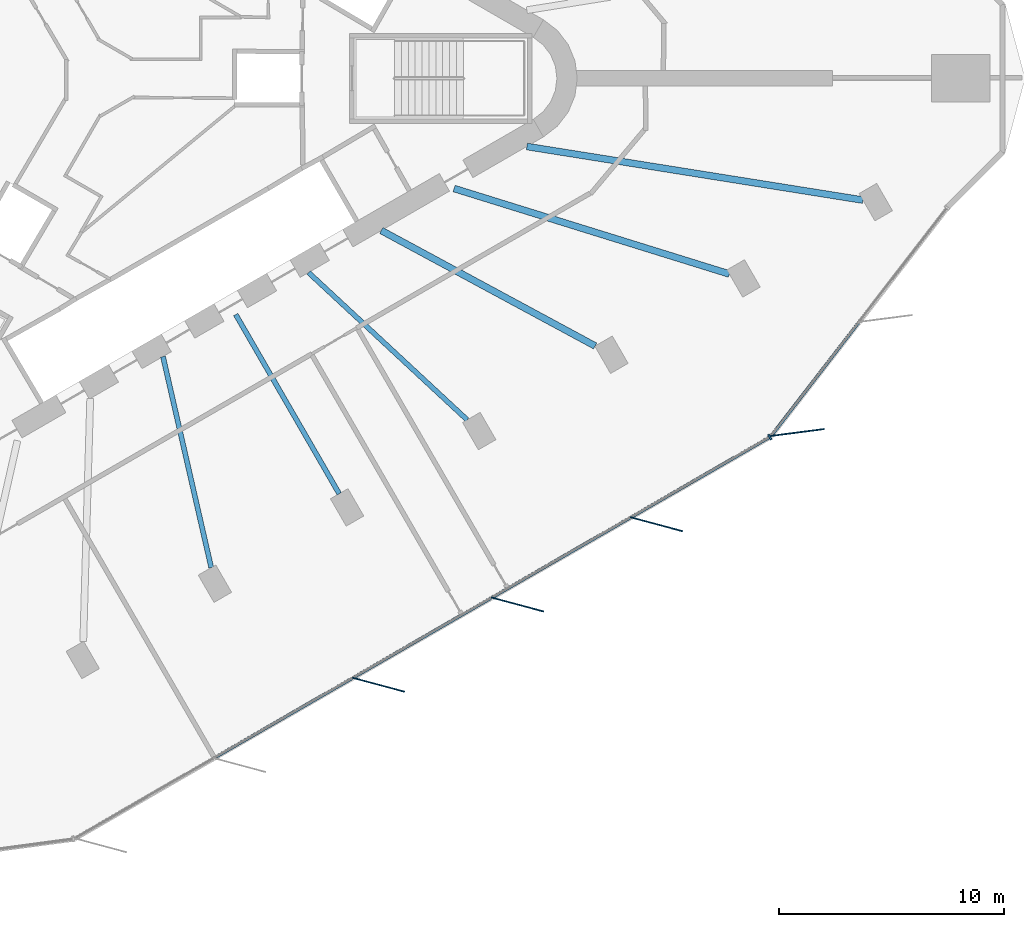
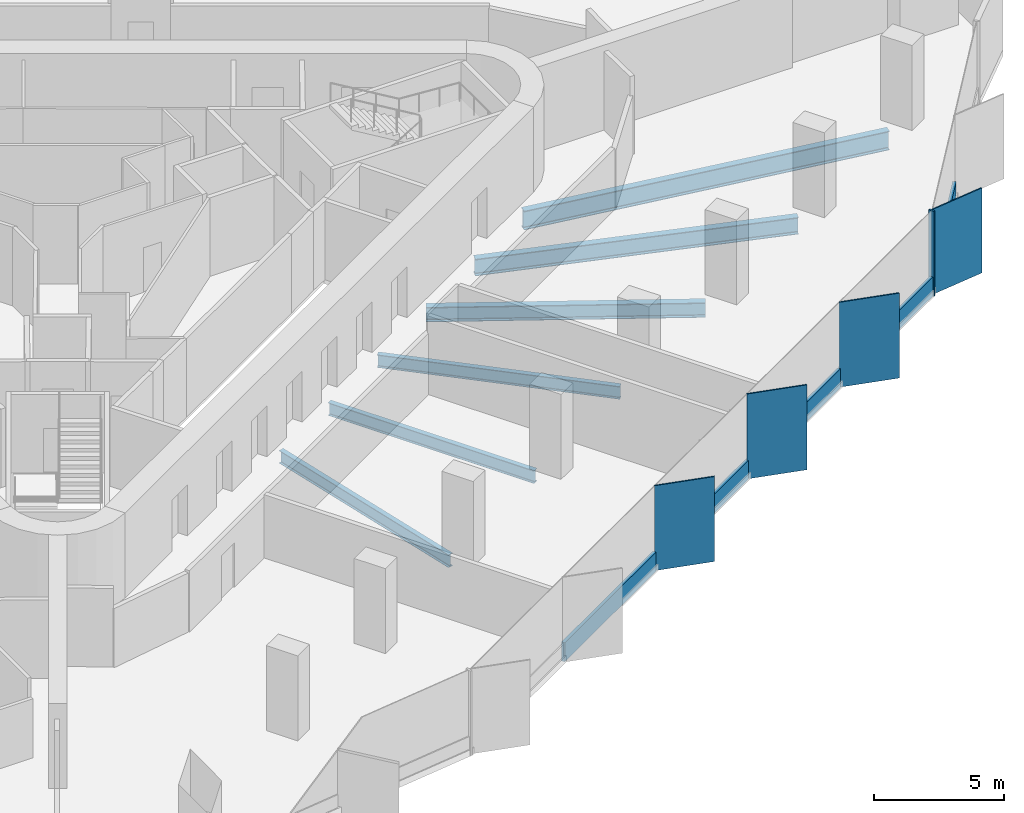
# One storey, part 3 of 14: 10 members, 6 beams, 2 elements without a shape of their own.
"""IFC4 building model written with IfcOpenShell, lengths in metres."""

from ifc_helpers import new_model, si_unit, direction, frame, origin, origin_2d, place, context, subcontext, project, spatial, rectangle, i_section, extrude, material, material_profile, profile_set, type_object, element, aggregate, save


model = new_model("IFC4")

# Units and contexts
model_context = context("Model", 3, precision=1e-05, world=origin(), true_north=direction((0.0, 1.0)))
body_context = subcontext(model_context, "Body", "Model", "MODEL_VIEW")
ifc_project = project(units=[si_unit("LENGTHUNIT", "METRE"), si_unit("AREAUNIT", "SQUARE_METRE"), si_unit("VOLUMEUNIT", "CUBIC_METRE"), si_unit("PLANEANGLEUNIT", "RADIAN"), si_unit("MASSUNIT", "GRAM", prefix="KILO")], contexts=[model_context])

# Site, building, storey
site_placement = place(None, origin())
site = spatial("IfcSite", under=ifc_project, at=site_placement, CompositionType="ELEMENT")
building_placement = place(site_placement, origin())
building = spatial("IfcBuilding", under=site, at=building_placement, Name="Tanit Gate Tower", CompositionType="ELEMENT")
storey_placement = place(building_placement, frame((0.0, 0.0, 237.199951171875)))
storey = spatial("IfcBuildingStorey", under=building, at=storey_placement, Name="L53", CompositionType="ELEMENT", Elevation=237.199951171875)

# Curtain wall, members
ifc_material_1 = material(Name="Aluminium bronze anodised and glass", Category="aluminium")
curtain_wall_type = type_object("IfcCurtainWallType", Name="Curtain wall typical mid", PredefinedType="NOTDEFINED", material=ifc_material_1)
curtain_wall_1_placement = place(storey_placement, origin())
curtain_wall_1 = element("IfcCurtainWall", 1, at=curtain_wall_1_placement, inside=storey, type_object=curtain_wall_type, Name="Curtain wall L53 SE2", PredefinedType="NOTDEFINED")
ifc_material_2 = material(Name="Aluminium bronze anodised", Category="aluminium")
ifc_material_profile_1 = material_profile(ifc_material_2, rectangle(XDim=2.39990234375, YDim=0.055908203125, at=origin_2d()), Name="56x2400 bronze fin mullion")
ifc_profile_set_1 = profile_set([ifc_material_profile_1], Name="Aluminium bronze anodised")
member_type_1 = type_object("IfcMemberType", Name="FIN MULLION 56x2400 bronze", PredefinedType="MULLION", material=ifc_profile_set_1)
member_1_placement = place(storey_placement, frame((12.383056640625, -26.9013671875, -0.300048828125), z_axis=(0.0, 0.0, 1.0), x_axis=(-0.965943770162, 0.25875206837, 0.0)))
member_1 = element("IfcMember", 2, at=member_1_placement, type_object=member_type_1, Name="Fin mullion L53 SE2.3", PredefinedType="MULLION", context=body_context, shape_type="SweptSolid", body=[
    extrude(rectangle(XDim=2.39990234375, YDim=0.055908203125, at=origin_2d()), origin(), (0.0, 0.0, 1.0), 4.0),
])
member_2_placement = place(storey_placement, frame((18.54931640625, -23.3408203125, -0.300048828125), z_axis=(0.0, 0.0, 1.0), x_axis=(-0.965943770162, 0.25875206837, 0.0)))
member_2 = element("IfcMember", 3, at=member_2_placement, type_object=member_type_1, Name="Fin mullion L53 SE2.4", PredefinedType="MULLION", context=body_context, shape_type="SweptSolid", body=[
    extrude(rectangle(XDim=2.39990234375, YDim=0.055908203125, at=origin_2d()), origin(), (0.0, 0.0, 1.0), 4.0),
])
member_3_placement = place(storey_placement, frame((24.715576171875, -19.780029296875, -0.300048828125), z_axis=(0.0, 0.0, 1.0), x_axis=(-0.965943770162, 0.25875206837, 0.0)))
member_3 = element("IfcMember", 4, at=member_3_placement, type_object=member_type_1, Name="Fin mullion L53 SE2.5", PredefinedType="MULLION", context=body_context, shape_type="SweptSolid", body=[
    extrude(rectangle(XDim=2.39990234375, YDim=0.055908203125, at=origin_2d()), origin(), (0.0, 0.0, 1.0), 4.0),
])

# Curtain wall, member
curtain_wall_2_placement = place(storey_placement, origin())
curtain_wall_2 = element("IfcCurtainWall", 5, at=curtain_wall_2_placement, inside=storey, type_object=curtain_wall_type, Name="Curtain wall L53 SE3", PredefinedType="NOTDEFINED")
member_4_placement = place(storey_placement, frame((30.971435546875, -15.712158203125, -0.300048828125), z_axis=(0.0, 0.0, 1.0), x_axis=(-0.991802209768, -0.127782536751, 0.0)))
member_4 = element("IfcMember", 6, at=member_4_placement, type_object=member_type_1, Name="Fin mullion L53 SE3.1", PredefinedType="MULLION", context=body_context, shape_type="SweptSolid", body=[
    extrude(rectangle(XDim=2.39990234375, YDim=0.055908203125, at=origin_2d()), origin(), (0.0, 0.0, 1.0), 4.0),
])

# Member
ifc_material_3 = material(Name="Aluminium bronze anodised", Category="aluminium")
ifc_material_profile_2 = material_profile(ifc_material_3, rectangle(XDim=0.260009765625, YDim=0.080078125, at=origin_2d()), Name="80x260 bronze mullion")
ifc_profile_set_2 = profile_set([ifc_material_profile_2], Name="Aluminium bronze anodised")
member_type_2 = type_object("IfcMemberType", Name="Mullion 80x260 typical mid", PredefinedType="MULLION", material=ifc_profile_set_2)
member_5_placement = place(storey_placement, frame((29.7431640625, -15.91455078125, -0.300048828125), z_axis=(0.0, 0.0, 1.0), x_axis=(-0.500060047936, 0.865990732317, 0.0)))
member_5 = element("IfcMember", 7, at=member_5_placement, type_object=member_type_2, Name="Mullion L53 SE2.6", PredefinedType="MULLION", context=body_context, shape_type="SweptSolid", body=[
    extrude(rectangle(XDim=0.260009765625, YDim=0.080078125, at=origin_2d()), origin(), (0.0, 0.0, 1.0), 4.0),
])

# Beams
ifc_material_4 = material(Name="Steel S355", Category="steel")
ifc_material_profile_3 = material_profile(ifc_material_4, i_section(OverallWidth=0.300048828125, OverallDepth=0.68994140625, WebThickness=0.014404296875, FlangeThickness=0.027099609375, FilletRadius=0.027099609375, at=origin_2d()), Name="HEA 700")
ifc_profile_set_3 = profile_set([ifc_material_profile_3], Name="Steel S355")
beam_type_1 = type_object("IfcBeamType", Name="RADIAL GIRDER HEA 700 S355", PredefinedType="BEAM", material=ifc_profile_set_3)
beam_1_placement = place(storey_placement, frame((21.993896484375, -11.873046875, -0.64501953125), z_axis=(-0.879968075352, 0.475032826614, 0.0), x_axis=(-0.475032826614, -0.879968075352, 0.0)))
element("IfcBeam", 8, at=beam_1_placement, inside=storey, type_object=beam_type_1, Name="RADIAL GIRDER", PredefinedType="BEAM", context=body_context, shape_type="SweptSolid", body=[
    extrude(i_section(OverallWidth=0.300048828125, OverallDepth=0.68994140625, WebThickness=0.014404296875, FlangeThickness=0.027099609375, FilletRadius=0.027099609375, at=origin_2d()), origin(), (0.0, 0.0, 1.0), 10.779541015625),
])
ifc_material_5 = material(Name="Steel S355", Category="steel")
ifc_material_profile_4 = material_profile(ifc_material_5, i_section(OverallWidth=0.300048828125, OverallDepth=0.7900390625, WebThickness=0.014892578125, FlangeThickness=0.028076171875, FilletRadius=0.030029296875, at=origin_2d()), Name="HEA 800")
ifc_profile_set_4 = profile_set([ifc_material_profile_4], Name="Steel S355")
beam_type_2 = type_object("IfcBeamType", Name="RADIAL GIRDER HEA 800 S355", PredefinedType="BEAM", material=ifc_profile_set_4)
beam_2_placement = place(storey_placement, frame((27.947998046875, -8.681396484375, -0.695068359375), z_axis=(-0.954989554266, 0.296639429684, 0.0), x_axis=(-0.296639429684, -0.954989554266, 0.0)))
element("IfcBeam", 9, at=beam_2_placement, inside=storey, type_object=beam_type_2, Name="RADIAL GIRDER", PredefinedType="BEAM", context=body_context, shape_type="SweptSolid", body=[
    extrude(i_section(OverallWidth=0.300048828125, OverallDepth=0.7900390625, WebThickness=0.014892578125, FlangeThickness=0.028076171875, FilletRadius=0.030029296875, at=origin_2d()), origin(), (0.0, 0.0, 1.0), 12.786376953125),
])
ifc_material_6 = material(Name="Steel S355", Category="steel")
ifc_material_profile_5 = material_profile(ifc_material_6, i_section(OverallWidth=0.300048828125, OverallDepth=0.889892578125, WebThickness=0.01611328125, FlangeThickness=0.030029296875, FilletRadius=0.030029296875, at=origin_2d()), Name="HEA 900")
ifc_profile_set_5 = profile_set([ifc_material_profile_5], Name="Steel S355")
beam_type_3 = type_object("IfcBeamType", Name="RADIAL GIRDER HEA 900 S355", PredefinedType="BEAM", material=ifc_profile_set_5)
beam_3_placement = place(storey_placement, frame((33.872802734375, -5.4013671875, -0.744873046875), z_axis=(-0.987524864709, 0.157463143563, 0.0), x_axis=(-0.157463143563, -0.987524864709, 0.0)))
element("IfcBeam", 10, at=beam_3_placement, inside=storey, type_object=beam_type_3, Name="RADIAL GIRDER", PredefinedType="BEAM", context=body_context, shape_type="SweptSolid", body=[
    extrude(i_section(OverallWidth=0.300048828125, OverallDepth=0.889892578125, WebThickness=0.01611328125, FlangeThickness=0.030029296875, FilletRadius=0.030029296875, at=origin_2d()), origin(), (0.0, 0.0, 1.0), 15.09521484375),
])
ifc_material_7 = material(Name="Steel S355", Category="steel")
ifc_material_profile_6 = material_profile(ifc_material_7, i_section(OverallWidth=0.219970703125, OverallDepth=0.60009765625, WebThickness=0.011962890625, FlangeThickness=0.01904296875, FilletRadius=0.02392578125, at=origin_2d()), Name="IPE 600")
ifc_profile_set_6 = profile_set([ifc_material_profile_6], Name="Steel S355")
beam_type_4 = type_object("IfcBeamType", Name="RADIAL GIRDER IPE 600 S355", PredefinedType="BEAM", material=ifc_profile_set_6)
beam_4_placement = place(storey_placement, frame((4.962646484375, -21.7060546875, -0.599853515625), z_axis=(-0.222889001119, 0.974843830149, 0.0), x_axis=(-0.974843830149, -0.222889001119, 0.0)))
element("IfcBeam", 11, at=beam_4_placement, inside=storey, type_object=beam_type_4, Name="RADIAL GIRDER", PredefinedType="BEAM", context=body_context, shape_type="SweptSolid", body=[
    extrude(i_section(OverallWidth=0.219970703125, OverallDepth=0.60009765625, WebThickness=0.011962890625, FlangeThickness=0.01904296875, FilletRadius=0.02392578125, at=origin_2d()), origin(), (0.0, 0.0, 1.0), 9.602783203125),
])
beam_5_placement = place(storey_placement, frame((10.6396484375, -18.428466796875, -0.599853515625), z_axis=(-0.499998789643, 0.866026102583, 0.0), x_axis=(-0.866026102583, -0.499998789643, 0.0)))
element("IfcBeam", 12, at=beam_5_placement, inside=storey, type_object=beam_type_4, Name="RADIAL GIRDER", PredefinedType="BEAM", context=body_context, shape_type="SweptSolid", body=[
    extrude(i_section(OverallWidth=0.219970703125, OverallDepth=0.60009765625, WebThickness=0.011962890625, FlangeThickness=0.01904296875, FilletRadius=0.02392578125, at=origin_2d()), origin(), (0.0, 0.0, 1.0), 9.17724609375),
])
beam_6_placement = place(storey_placement, frame((16.316650390625, -15.150634765625, -0.599853515625), z_axis=(-0.73280888542, 0.680434521059, 0.0), x_axis=(-0.680434521059, -0.73280888542, 0.0)))
element("IfcBeam", 13, at=beam_6_placement, inside=storey, type_object=beam_type_4, Name="RADIAL GIRDER", PredefinedType="BEAM", context=body_context, shape_type="SweptSolid", body=[
    extrude(i_section(OverallWidth=0.219970703125, OverallDepth=0.60009765625, WebThickness=0.011962890625, FlangeThickness=0.01904296875, FilletRadius=0.02392578125, at=origin_2d()), origin(), (0.0, 0.0, 1.0), 9.6025390625),
])

# Member
ifc_material_8 = material(Name="Aluminium bronze anodised", Category="aluminium")
ifc_material_profile_7 = material_profile(ifc_material_8, rectangle(XDim=0.139892578125, YDim=0.89990234375, at=origin_2d()), Name="140x900 bronze transom")
ifc_profile_set_7 = profile_set([ifc_material_profile_7], Name="Aluminium bronze anodised")
member_type_3 = type_object("IfcMemberType", Name="Transom 140x900 typical mid", PredefinedType="USERDEFINED", material=ifc_profile_set_7)
member_6_placement = place(storey_placement, frame((5.11279296875, -30.136962890625, 0.150146484375), z_axis=(0.865997897729, 0.50004763886, 0.0), x_axis=(-0.50004763886, 0.865997897729, 0.0)))
member_6 = element("IfcMember", 14, at=member_6_placement, type_object=member_type_3, Name="Transom L53 SE2.2", ObjectType="TRANSOM", PredefinedType="USERDEFINED", context=body_context, shape_type="SweptSolid", body=[
    extrude(rectangle(XDim=0.139892578125, YDim=0.89990234375, at=origin_2d()), origin(), (0.0, 0.0, 1.0), 7.040283203125),
])

member_7_placement = place(storey_placement, frame((11.279052734375, -26.576416015625, 0.150146484375), z_axis=(0.865982880904, 0.500073644557, 0.0), x_axis=(-0.500073644557, 0.865982880904, 0.0)))
member_7 = element("IfcMember", 15, at=member_7_placement, type_object=member_type_3, Name="Transom L53 SE2.3", ObjectType="TRANSOM", PredefinedType="USERDEFINED", context=body_context, shape_type="SweptSolid", body=[
    extrude(rectangle(XDim=0.139892578125, YDim=0.89990234375, at=origin_2d()), origin(), (0.0, 0.0, 1.0), 7.04052734375),
])

member_8_placement = place(storey_placement, frame((17.4453125, -23.015625, 0.150146484375), z_axis=(0.865997897729, 0.50004763886, 0.0), x_axis=(-0.50004763886, 0.865997897729, 0.0)))
member_8 = element("IfcMember", 16, at=member_8_placement, type_object=member_type_3, Name="Transom L53 SE2.4", ObjectType="TRANSOM", PredefinedType="USERDEFINED", context=body_context, shape_type="SweptSolid", body=[
    extrude(rectangle(XDim=0.139892578125, YDim=0.89990234375, at=origin_2d()), origin(), (0.0, 0.0, 1.0), 7.040283203125),
])

member_9_placement = place(storey_placement, frame((23.611572265625, -19.455078125, 0.150146484375), z_axis=(0.865982880904, 0.500073644557, 0.0), x_axis=(-0.500073644557, 0.865982880904, 0.0)))
member_9 = element("IfcMember", 17, at=member_9_placement, type_object=member_type_3, Name="Transom L53 SE2.5", ObjectType="TRANSOM", PredefinedType="USERDEFINED", context=body_context, shape_type="SweptSolid", body=[
    extrude(rectangle(XDim=0.139892578125, YDim=0.89990234375, at=origin_2d()), origin(), (0.0, 0.0, 1.0), 7.04052734375),
])

aggregate(curtain_wall_1, [member_1, member_2, member_3, member_5, member_6, member_7, member_8, member_9])

member_10_placement = place(storey_placement, frame((29.82666015625, -15.8310546875, 0.150146484375), z_axis=(0.610949668913, 0.79166943989, 0.0), x_axis=(-0.79166943989, 0.610949668913, 0.0)))
member_10 = element("IfcMember", 18, at=member_10_placement, type_object=member_type_3, Name="Transom L53 SE3.1", ObjectType="TRANSOM", PredefinedType="USERDEFINED", context=body_context, shape_type="SweptSolid", body=[
    extrude(rectangle(XDim=0.139892578125, YDim=0.89990234375, at=origin_2d()), origin(), (0.0, 0.0, 1.0), 6.310302734375),
])

aggregate(curtain_wall_2, [member_4, member_10])

save(model, "model.ifc")
